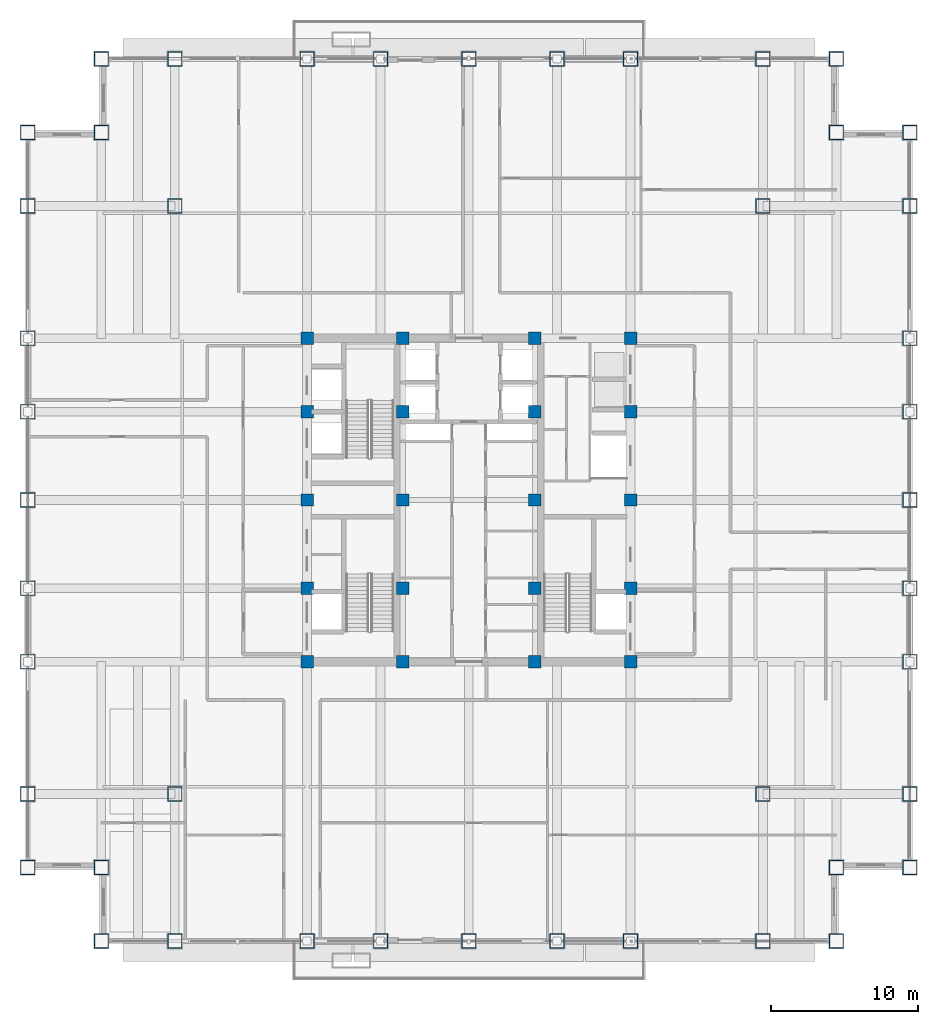
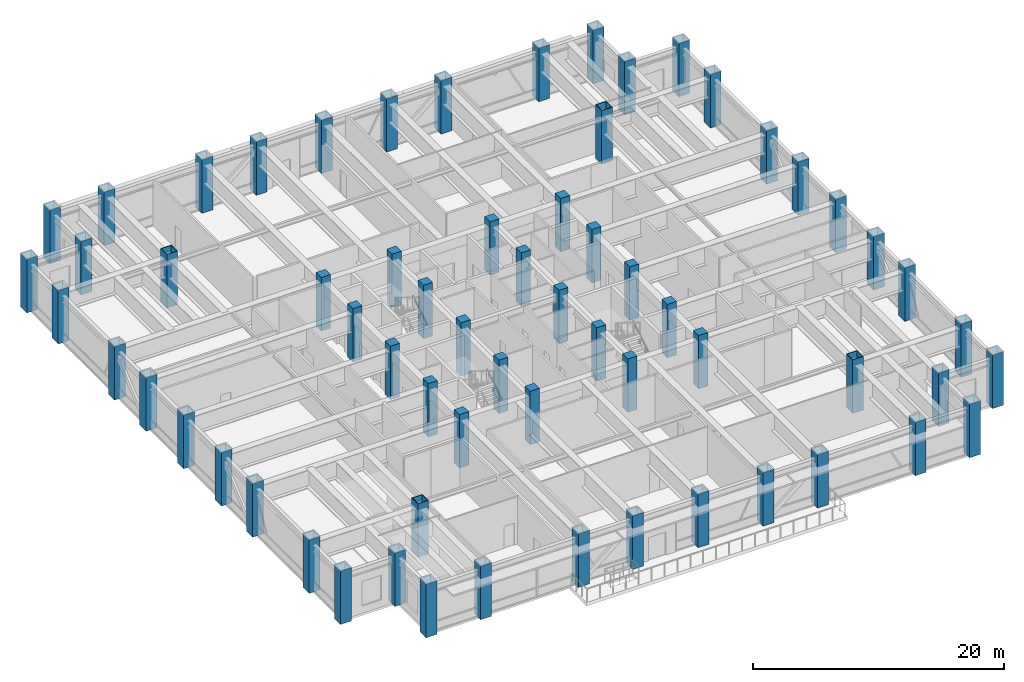
# One storey, part 1 of 33: 64 columns.
"""IFC4 building model written with IfcOpenShell, lengths in metres."""

from ifc_helpers import new_model, si_unit, direction, frame, origin, origin_2d, place, context, subcontext, project, spatial, rectangle, hollow_rectangle, extrude, source, transform, mapped, material, material_profile, profile_set, type_object, element, save


model = new_model("IFC4")

# Units and contexts
model_context = context("Model", 3, precision=1e-05, world=origin(), true_north=direction((0.0, 1.0)))
body_context = subcontext(model_context, "Body", "Model", "MODEL_VIEW")
ifc_project = project(units=[si_unit("LENGTHUNIT", "METRE"), si_unit("AREAUNIT", "SQUARE_METRE"), si_unit("VOLUMEUNIT", "CUBIC_METRE"), si_unit("PLANEANGLEUNIT", "RADIAN"), si_unit("MASSUNIT", "GRAM", prefix="KILO")], contexts=[model_context])

# Site, building, storey
site_placement = place(None, origin())
site = spatial("IfcSite", under=ifc_project, at=site_placement, CompositionType="ELEMENT")
building_placement = place(site_placement, origin())
building = spatial("IfcBuilding", under=site, at=building_placement, Name="Khorayat Bourse Tower", CompositionType="ELEMENT")
storey_placement = place(building_placement, frame((0.0, 0.0, 263.10009765625)))
storey = spatial("IfcBuildingStorey", under=building, at=storey_placement, Name="L62", CompositionType="ELEMENT", Elevation=263.10009765625)

# Columns
ifc_material_1 = material(Name="Concrete C60/75", Category="concrete")
ifc_material_profile_1 = material_profile(ifc_material_1, rectangle(XDim=0.85009765625, YDim=0.85009765625, at=origin_2d()), Name="RC 850x850")
ifc_profile_set_1 = profile_set([ifc_material_profile_1], Name="Concrete C60/75")
column_type_1 = type_object("IfcColumnType", Name="COL-CORE-850", PredefinedType="COLUMN", material=ifc_profile_set_1)
shared_shape_1 = source(origin(), body_context, "Body", "SweptSolid", [
    extrude(rectangle(XDim=0.85009765625, YDim=0.85009765625, at=origin_2d()), origin(), (0.0, 0.0, 1.0), 5.199951171875),
])
for number, where, z_axis, x_axis, name in (
    (1, (-11.0, -11.0, 0.0), (0.0, 0.0, 1.0), (1.0, 0.0, 0.0), "L62 Column 019"),
    (2, (-11.0, -6.0, 0.0), (0.0, 0.0, 1.0), (1.0, 0.0, 0.0), "L62 Column 020"),
    (3, (-11.0, 0.0, 0.0), (0.0, 0.0, 1.0), (1.0, 0.0, 0.0), "L62 Column 021"),
    (4, (-11.0, 6.0, 0.0), (0.0, 0.0, 1.0), (1.0, 0.0, 0.0), "L62 Column 022"),
    (5, (-11.0, 11.0, 0.0), (0.0, 0.0, 1.0), (1.0, 0.0, 0.0), "L62 Column 023"),
    (6, (-4.5, -11.0, 0.0), (0.0, 0.0, 1.0), (1.0, 0.0, 0.0), "L62 Column 027"),
    (7, (-4.5, -6.0, 0.0), (0.0, 0.0, 1.0), (1.0, 0.0, 0.0), "L62 Column 028"),
    (8, (-4.5, 0.0, 0.0), (0.0, 0.0, 1.0), (1.0, 0.0, 0.0), "L62 Column 029"),
    (9, (-4.5, 6.0, 0.0), (0.0, 0.0, 1.0), (1.0, 0.0, 0.0), "L62 Column 030"),
    (10, (-4.5, 11.0, 0.0), (0.0, 0.0, 1.0), (1.0, 0.0, 0.0), "L62 Column 031"),
    (11, (4.5, -11.0, 0.0), (0.0, 0.0, 1.0), (1.0, 0.0, 0.0), "L62 Column 034"),
    (12, (4.5, -6.0, 0.0), (0.0, 0.0, 1.0), (1.0, 0.0, 0.0), "L62 Column 035"),
    (13, (4.5, 0.0, 0.0), (0.0, 0.0, 1.0), (1.0, 0.0, 0.0), "L62 Column 036"),
    (14, (4.5, 6.0, 0.0), (0.0, 0.0, 1.0), (1.0, 0.0, 0.0), "L62 Column 037"),
    (15, (4.5, 11.0, 0.0), (0.0, 0.0, 1.0), (1.0, 0.0, 0.0), "L62 Column 038"),
    (16, (11.0, -11.0, 0.0), (0.0, 0.0, 1.0), (1.0, 0.0, 0.0), "L62 Column 042"),
    (17, (11.0, -6.0, 0.0), (0.0, 0.0, 1.0), (1.0, 0.0, 0.0), "L62 Column 043"),
    (18, (11.0, 0.0, 0.0), (0.0, 0.0, 1.0), (1.0, 0.0, 0.0), "L62 Column 044"),
    (19, (11.0, 6.0, 0.0), (0.0, 0.0, 1.0), (1.0, 0.0, 0.0), "L62 Column 045"),
    (20, (11.0, 11.0, 0.0), (0.0, 0.0, 1.0), (1.0, 0.0, 0.0), "L62 Column 046"),
):
    element("IfcColumn", number, at=place(storey_placement, frame(where, z_axis=z_axis, x_axis=x_axis)), inside=storey, type_object=column_type_1, Name=name, PredefinedType="COLUMN", context=body_context, shape_type="MappedRepresentation", body=[
        mapped(shared_shape_1, transform((0.0, 0.0, 0.0), scale=1.0)),
    ])
ifc_material_2 = material(Name="Steel EN 10025-4 S460M", Category="steel")
ifc_material_profile_2 = material_profile(ifc_material_2, hollow_rectangle(XDim=1.0, YDim=1.0, WallThickness=0.054931640625, at=origin_2d()), Name="BOX 1000x1000x55")
ifc_profile_set_2 = profile_set([ifc_material_profile_2], Name="Steel EN 10025-4 S460M")
column_type_2 = type_object("IfcColumnType", Name="COL-TUBE-1000", PredefinedType="COLUMN", material=ifc_profile_set_2)
shared_shape_2 = source(origin(), body_context, "Body", "SweptSolid", [
    extrude(hollow_rectangle(XDim=1.0, YDim=1.0, WallThickness=0.054931640625, at=origin_2d()), origin(), (0.0, 0.0, 1.0), 5.199951171875),
])
for number, where, z_axis, x_axis, name in (
    (21, (-30.0, -25.0, 0.0), (0.0, 0.0, 1.0), (1.0, 0.0, 0.0), "L62 Column 001"),
    (22, (-30.0, -20.0, 0.0), (0.0, 0.0, 1.0), (1.0, 0.0, 0.0), "L62 Column 002"),
    (23, (-30.0, -11.0, 0.0), (0.0, 0.0, 1.0), (1.0, 0.0, 0.0), "L62 Column 003"),
    (24, (-30.0, -6.0, 0.0), (0.0, 0.0, 1.0), (1.0, 0.0, 0.0), "L62 Column 004"),
    (25, (-30.0, 0.0, 0.0), (0.0, 0.0, 1.0), (1.0, 0.0, 0.0), "L62 Column 005"),
    (26, (-30.0, 6.0, 0.0), (0.0, 0.0, 1.0), (1.0, 0.0, 0.0), "L62 Column 006"),
    (27, (-30.0, 11.0, 0.0), (0.0, 0.0, 1.0), (1.0, 0.0, 0.0), "L62 Column 007"),
    (28, (-30.0, 20.0, 0.0), (0.0, 0.0, 1.0), (1.0, 0.0, 0.0), "L62 Column 008"),
    (29, (-30.0, 25.0, 0.0), (0.0, 0.0, 1.0), (1.0, 0.0, 0.0), "L62 Column 009"),
    (30, (-25.0, -30.0, 0.0), (0.0, 0.0, 1.0), (1.0, 0.0, 0.0), "L62 Column 010"),
    (31, (-25.0, -25.0, 0.0), (0.0, 0.0, 1.0), (1.0, 0.0, 0.0), "L62 Column 011"),
    (32, (-25.0, 25.0, 0.0), (0.0, 0.0, 1.0), (1.0, 0.0, 0.0), "L62 Column 012"),
    (33, (-25.0, 30.0, 0.0), (0.0, 0.0, 1.0), (1.0, 0.0, 0.0), "L62 Column 013"),
    (34, (-20.0, -30.0, 0.0), (0.0, 0.0, 1.0), (1.0, 0.0, 0.0), "L62 Column 014"),
    (35, (-20.0, -20.0, 0.0), (0.0, 0.0, 1.0), (1.0, 0.0, 0.0), "L62 Column 015"),
    (36, (-20.0, 20.0, 0.0), (0.0, 0.0, 1.0), (1.0, 0.0, 0.0), "L62 Column 016"),
    (37, (-20.0, 30.0, 0.0), (0.0, 0.0, 1.0), (1.0, 0.0, 0.0), "L62 Column 017"),
    (38, (-11.0, -30.0, 0.0), (0.0, 0.0, 1.0), (1.0, 0.0, 0.0), "L62 Column 018"),
    (39, (-11.0, 30.0, 0.0), (0.0, 0.0, 1.0), (1.0, 0.0, 0.0), "L62 Column 024"),
    (40, (-6.0, -30.0, 0.0), (0.0, 0.0, 1.0), (1.0, 0.0, 0.0), "L62 Column 025"),
    (41, (-6.0, 30.0, 0.0), (0.0, 0.0, 1.0), (1.0, 0.0, 0.0), "L62 Column 026"),
    (42, (0.0, -30.0, 0.0), (0.0, 0.0, 1.0), (1.0, 0.0, 0.0), "L62 Column 032"),
    (43, (0.0, 30.0, 0.0), (0.0, 0.0, 1.0), (1.0, 0.0, 0.0), "L62 Column 033"),
    (44, (6.0, -30.0, 0.0), (0.0, 0.0, 1.0), (1.0, 0.0, 0.0), "L62 Column 039"),
    (45, (6.0, 30.0, 0.0), (0.0, 0.0, 1.0), (1.0, 0.0, 0.0), "L62 Column 040"),
    (46, (11.0, -30.0, 0.0), (0.0, 0.0, 1.0), (1.0, 0.0, 0.0), "L62 Column 041"),
    (47, (11.0, 30.0, 0.0), (0.0, 0.0, 1.0), (1.0, 0.0, 0.0), "L62 Column 047"),
    (48, (20.0, -30.0, 0.0), (0.0, 0.0, 1.0), (1.0, 0.0, 0.0), "L62 Column 048"),
    (49, (20.0, -20.0, 0.0), (0.0, 0.0, 1.0), (1.0, 0.0, 0.0), "L62 Column 049"),
    (50, (20.0, 20.0, 0.0), (0.0, 0.0, 1.0), (1.0, 0.0, 0.0), "L62 Column 050"),
    (51, (20.0, 30.0, 0.0), (0.0, 0.0, 1.0), (1.0, 0.0, 0.0), "L62 Column 051"),
    (52, (25.0, -30.0, 0.0), (0.0, 0.0, 1.0), (1.0, 0.0, 0.0), "L62 Column 052"),
    (53, (25.0, -25.0, 0.0), (0.0, 0.0, 1.0), (1.0, 0.0, 0.0), "L62 Column 053"),
    (54, (25.0, 25.0, 0.0), (0.0, 0.0, 1.0), (1.0, 0.0, 0.0), "L62 Column 054"),
    (55, (25.0, 30.0, 0.0), (0.0, 0.0, 1.0), (1.0, 0.0, 0.0), "L62 Column 055"),
    (56, (30.0, -25.0, 0.0), (0.0, 0.0, 1.0), (1.0, 0.0, 0.0), "L62 Column 056"),
    (57, (30.0, -20.0, 0.0), (0.0, 0.0, 1.0), (1.0, 0.0, 0.0), "L62 Column 057"),
    (58, (30.0, -11.0, 0.0), (0.0, 0.0, 1.0), (1.0, 0.0, 0.0), "L62 Column 058"),
    (59, (30.0, -6.0, 0.0), (0.0, 0.0, 1.0), (1.0, 0.0, 0.0), "L62 Column 059"),
    (60, (30.0, 0.0, 0.0), (0.0, 0.0, 1.0), (1.0, 0.0, 0.0), "L62 Column 060"),
    (61, (30.0, 6.0, 0.0), (0.0, 0.0, 1.0), (1.0, 0.0, 0.0), "L62 Column 061"),
    (62, (30.0, 11.0, 0.0), (0.0, 0.0, 1.0), (1.0, 0.0, 0.0), "L62 Column 062"),
    (63, (30.0, 20.0, 0.0), (0.0, 0.0, 1.0), (1.0, 0.0, 0.0), "L62 Column 063"),
    (64, (30.0, 25.0, 0.0), (0.0, 0.0, 1.0), (1.0, 0.0, 0.0), "L62 Column 064"),
):
    element("IfcColumn", number, at=place(storey_placement, frame(where, z_axis=z_axis, x_axis=x_axis)), inside=storey, type_object=column_type_2, Name=name, PredefinedType="COLUMN", context=body_context, shape_type="MappedRepresentation", body=[
        mapped(shared_shape_2, transform((0.0, 0.0, 0.0), scale=1.0)),
    ])

save(model, "model.ifc")
